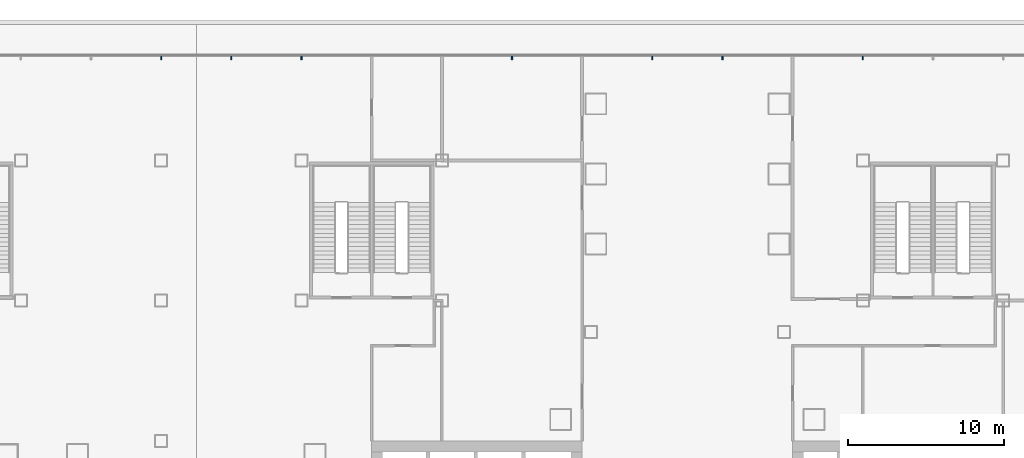
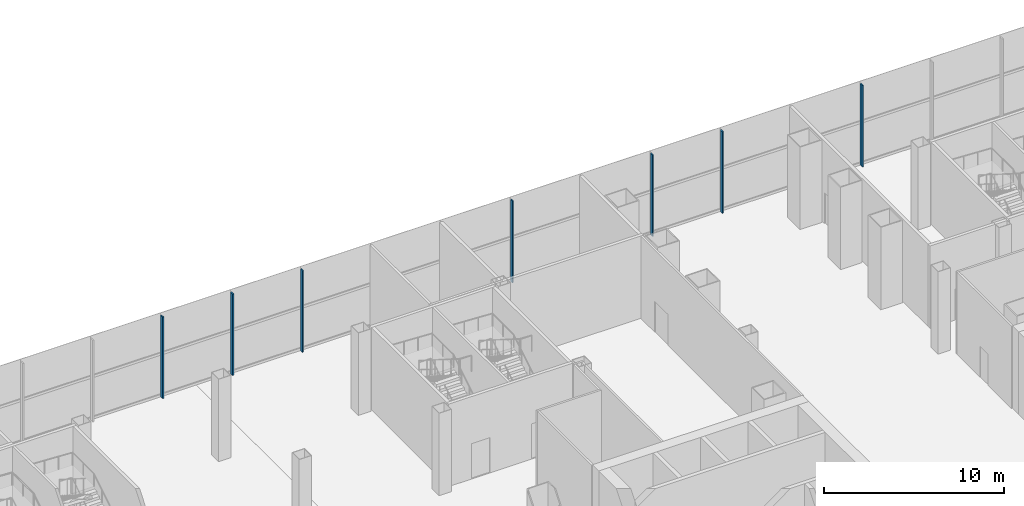
# One storey, part 14 of 38: 7 members, 1 element without a shape of its own.
"""IFC4 building model written with IfcOpenShell, lengths in metres."""

from ifc_helpers import new_model, si_unit, direction, frame, origin, origin_2d, place, context, subcontext, project, spatial, rectangle, extrude, material, layer, layer_set, material_profile, profile_set, type_object, element, aggregate, save


model = new_model("IFC4")

# Units and contexts
model_context = context("Model", 3, precision=1e-05, world=origin(), true_north=direction((0.0, 1.0)))
body_context = subcontext(model_context, "Body", "Model", "MODEL_VIEW")
ifc_project = project(units=[si_unit("LENGTHUNIT", "METRE"), si_unit("AREAUNIT", "SQUARE_METRE"), si_unit("VOLUMEUNIT", "CUBIC_METRE"), si_unit("PLANEANGLEUNIT", "RADIAN"), si_unit("MASSUNIT", "GRAM", prefix="KILO")], contexts=[model_context])

# Site, building, storey
site_placement = place(None, origin())
site = spatial("IfcSite", under=ifc_project, at=site_placement, CompositionType="ELEMENT")
building_placement = place(site_placement, origin())
building = spatial("IfcBuilding", under=site, at=building_placement, Name="Shamsa Quay Exchange Towers", CompositionType="ELEMENT")
storey_placement = place(building_placement, frame((0.0, 0.0, 12.5)))
storey = spatial("IfcBuildingStorey", under=building, at=storey_placement, Name="L02", CompositionType="ELEMENT", Elevation=12.5)

# Curtain wall, members
ifc_material = material(Name="Aluminium EN AW-6063 T6, black anodised", Category="aluminium")
ifc_layer = layer(ifc_material, 0.33203125)
ifc_layer_set = layer_set([ifc_layer], Name="CW-3 PODIUM SHOPFRONT GLAZING")
curtain_wall_type = type_object("IfcCurtainWallType", Name="CW-3 PODIUM SHOPFRONT GLAZING", PredefinedType="NOTDEFINED", material=ifc_layer_set)
curtain_wall_placement = place(storey_placement, origin())
curtain_wall = element("IfcCurtainWall", 1, at=curtain_wall_placement, inside=storey, type_object=curtain_wall_type, Name="CW3 PODIUM-L02-F01", PredefinedType="NOTDEFINED")
ifc_material_profile = material_profile(ifc_material, rectangle(XDim=0.219970703125, YDim=0.080078125, at=origin_2d()), Name="MU80x220")
ifc_profile_set = profile_set([ifc_material_profile], Name="Aluminium EN AW-6063 T6, black anodised")
member_type = type_object("IfcMemberType", Name="CW3 MULLION 80x220", PredefinedType="MULLION", material=ifc_profile_set)
member_1_placement = place(storey_placement, frame((45.0, 31.31005859375, 0.0), z_axis=(0.0, 0.0, 1.0), x_axis=(0.0, -1.0, 0.0)))
member_1 = element("IfcMember", 2, at=member_1_placement, type_object=member_type, Name="CW3 mullion", PredefinedType="MULLION", context=body_context, shape_type="SweptSolid", body=[
    extrude(rectangle(XDim=0.219970703125, YDim=0.080078125, at=origin_2d()), origin(), (0.0, 0.0, 1.0), 5.550048828125),
])
member_2_placement = place(storey_placement, frame((36.0, 31.31005859375, 0.0), z_axis=(0.0, 0.0, 1.0), x_axis=(0.0, -1.0, 0.0)))
member_2 = element("IfcMember", 3, at=member_2_placement, type_object=member_type, Name="CW3 mullion", PredefinedType="MULLION", context=body_context, shape_type="SweptSolid", body=[
    extrude(rectangle(XDim=0.219970703125, YDim=0.080078125, at=origin_2d()), origin(), (0.0, 0.0, 1.0), 5.550048828125),
])
member_3_placement = place(storey_placement, frame((31.5, 31.31005859375, 0.0), z_axis=(0.0, 0.0, 1.0), x_axis=(0.0, -1.0, 0.0)))
member_3 = element("IfcMember", 4, at=member_3_placement, type_object=member_type, Name="CW3 mullion", PredefinedType="MULLION", context=body_context, shape_type="SweptSolid", body=[
    extrude(rectangle(XDim=0.219970703125, YDim=0.080078125, at=origin_2d()), origin(), (0.0, 0.0, 1.0), 5.550048828125),
])
member_4_placement = place(storey_placement, frame((22.5, 31.31005859375, 0.0), z_axis=(0.0, 0.0, 1.0), x_axis=(0.0, -1.0, 0.0)))
member_4 = element("IfcMember", 5, at=member_4_placement, type_object=member_type, Name="CW3 mullion", PredefinedType="MULLION", context=body_context, shape_type="SweptSolid", body=[
    extrude(rectangle(XDim=0.219970703125, YDim=0.080078125, at=origin_2d()), origin(), (0.0, 0.0, 1.0), 5.550048828125),
])
member_5_placement = place(storey_placement, frame((9.0, 31.31005859375, 0.0), z_axis=(0.0, 0.0, 1.0), x_axis=(0.0, -1.0, 0.0)))
member_5 = element("IfcMember", 6, at=member_5_placement, type_object=member_type, Name="CW3 mullion", PredefinedType="MULLION", context=body_context, shape_type="SweptSolid", body=[
    extrude(rectangle(XDim=0.219970703125, YDim=0.080078125, at=origin_2d()), origin(), (0.0, 0.0, 1.0), 5.550048828125),
])
member_6_placement = place(storey_placement, frame((4.5, 31.31005859375, 0.0), z_axis=(0.0, 0.0, 1.0), x_axis=(0.0, -1.0, 0.0)))
member_6 = element("IfcMember", 7, at=member_6_placement, type_object=member_type, Name="CW3 mullion", PredefinedType="MULLION", context=body_context, shape_type="SweptSolid", body=[
    extrude(rectangle(XDim=0.219970703125, YDim=0.080078125, at=origin_2d()), origin(), (0.0, 0.0, 1.0), 5.550048828125),
])
member_7_placement = place(storey_placement, frame((0.0, 31.31005859375, 0.0), z_axis=(0.0, 0.0, 1.0), x_axis=(0.0, -1.0, 0.0)))
member_7 = element("IfcMember", 8, at=member_7_placement, type_object=member_type, Name="CW3 mullion", PredefinedType="MULLION", context=body_context, shape_type="SweptSolid", body=[
    extrude(rectangle(XDim=0.219970703125, YDim=0.080078125, at=origin_2d()), origin(), (0.0, 0.0, 1.0), 5.550048828125),
])
aggregate(curtain_wall, [member_1, member_2, member_3, member_4, member_5, member_6, member_7])

save(model, "model.ifc")
